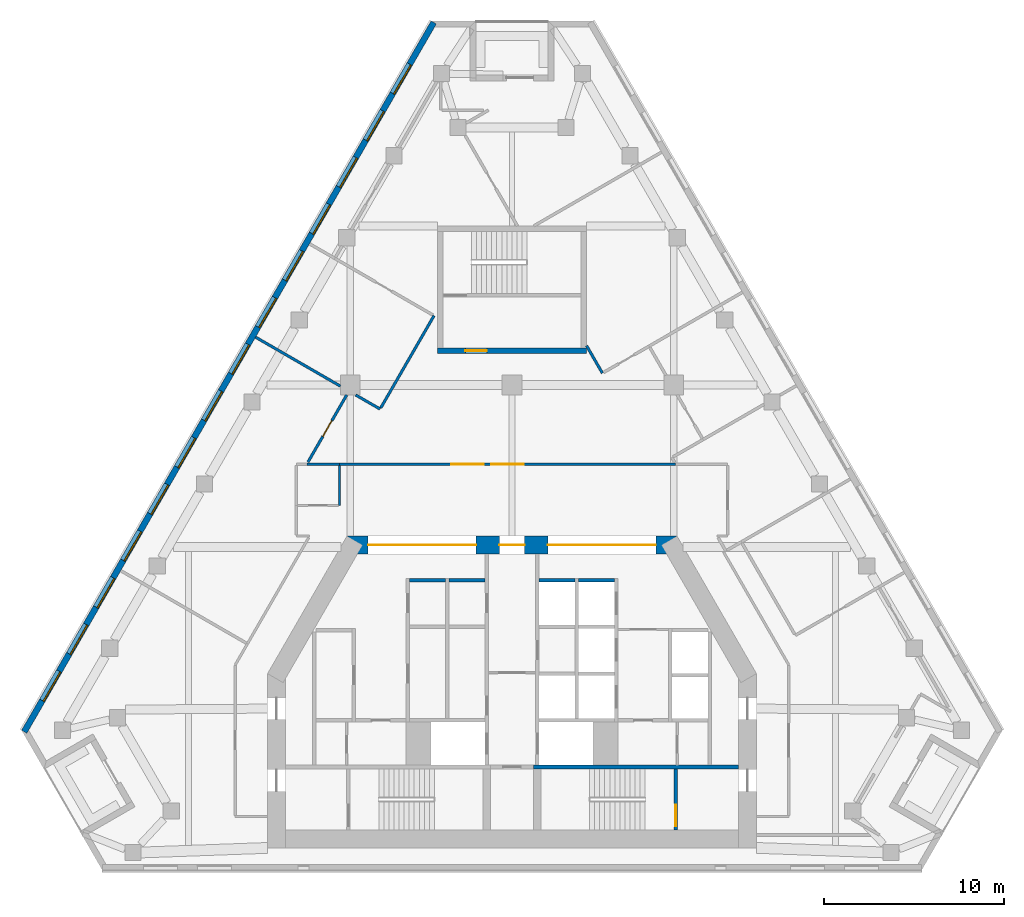
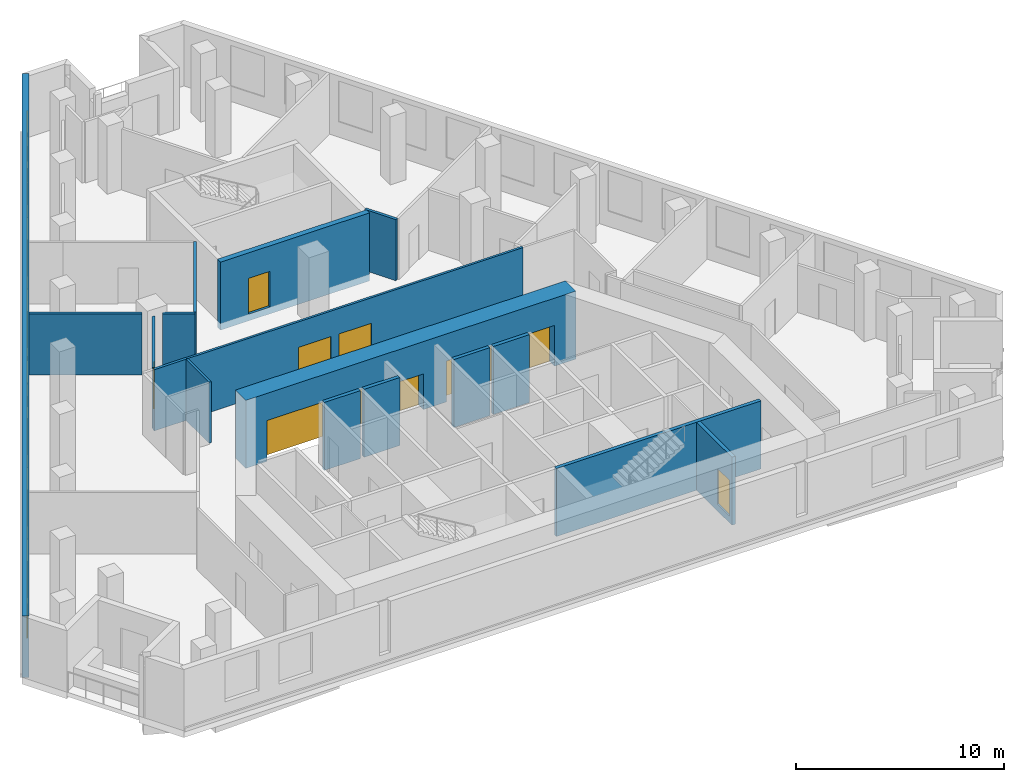
# One storey, part 5 of 9: 17 walls, 14 windows, 8 doors, 22 openings.
"""IFC4 building model written with IfcOpenShell, lengths in metres."""

from ifc_helpers import new_model, si_unit, direction, frame, frame_2d, origin, place, context, subcontext, project, spatial, rectangle, extrude, material, layer, layer_set, type_object, element, fill, save


model = new_model("IFC4")

# Units and contexts
model_context = context("Model", 3, precision=1e-05, world=origin(), true_north=direction((0.0, 1.0)))
body_context = subcontext(model_context, "Body", "Model", "MODEL_VIEW")
ifc_project = project(units=[si_unit("LENGTHUNIT", "METRE"), si_unit("AREAUNIT", "SQUARE_METRE"), si_unit("VOLUMEUNIT", "CUBIC_METRE"), si_unit("PLANEANGLEUNIT", "RADIAN"), si_unit("MASSUNIT", "GRAM", prefix="KILO")], contexts=[model_context])

# Site, building, storey
site_placement = place(None, origin())
site = spatial("IfcSite", under=ifc_project, at=site_placement, CompositionType="ELEMENT")
building_placement = place(site_placement, origin())
building = spatial("IfcBuilding", under=site, at=building_placement, Name="Fogline Exchange Tower", CompositionType="ELEMENT")
storey_placement = place(building_placement, frame((0.0, 0.0, 210.10009765625)))
storey = spatial("IfcBuildingStorey", under=building, at=storey_placement, Name="L47", CompositionType="ELEMENT", Elevation=210.10009765625)

# Wall
ifc_material_1 = material(Name="Concrete C40", Category="concrete")
ifc_layer_1 = layer(ifc_material_1, 0.199951171875)
ifc_layer_set_1 = layer_set([ifc_layer_1], Name="CW20R")
wall_type_1 = type_object("IfcWallType", Name="CW20R", PredefinedType="SOLIDWALL", material=ifc_layer_set_1)
wall_1_placement = place(storey_placement, frame((1.199951171875, 5.75, -0.400146484375), z_axis=(0.0, 0.0, 1.0), x_axis=(1.0, 0.0, 0.0)))
element("IfcWall", 1, at=wall_1_placement, inside=storey, type_object=wall_type_1, Name="Stair enclosure wall", PredefinedType="SOLIDWALL", context=body_context, shape_type="SweptSolid", body=[
    extrude(rectangle(XDim=11.400146484375, YDim=0.199951171875, at=frame_2d((5.7001953125, 0.0))), origin(), (0.0, 0.0, 1.0), 4.0),
])

# Wall, opening, door
wall_2_placement = place(storey_placement, frame((9.10009765625, 2.25, -0.400146484375), z_axis=(0.0, 0.0, 1.0), x_axis=(0.0, 1.0, 0.0)))
wall_2 = element("IfcWall", 2, at=wall_2_placement, inside=storey, type_object=wall_type_1, Name="Stair enclosure wall", PredefinedType="SOLIDWALL", context=body_context, shape_type="SweptSolid", body=[
    extrude(rectangle(XDim=3.39990234375, YDim=0.199951171875, at=frame_2d((1.699951171875, 0.0))), origin(), (0.0, 0.0, 1.0), 4.0),
])
opening_1_placement = place(wall_2_placement, frame((0.199951171875, 0.0, 0.39990234375)))
opening_1 = element("IfcOpeningElement", 3, at=opening_1_placement, cuts=wall_2, Name="Opening T15-C017", PredefinedType="OPENING", context=body_context, shape_type="SweptSolid", body=[
    extrude(rectangle(XDim=1.199951171875, YDim=2.10009765625, at=frame_2d((0.60009765625, 1.050048828125))), frame((0.0, 0.10986328125, 0.0), z_axis=(0.0, -1.0, 0.0), x_axis=(1.0, 0.0, 0.0)), (0.0, 0.0, 1.0), 0.219970703125),
])
ifc_material_2 = material(Name="Steel and timber fire door", Category="steel")
door_type_1 = type_object("IfcDoorType", Name="D-ST1", OperationType="SINGLE_SWING_LEFT", PredefinedType="DOOR", material=ifc_material_2)
door_1_placement = place(opening_1_placement, origin())
door_1 = element("IfcDoor", 4, at=door_1_placement, inside=storey, type_object=door_type_1, Name="Stair door ST2", OperationType="SINGLE_SWING_LEFT", OverallHeight=2.10009765625, OverallWidth=1.199951171875, PredefinedType="DOOR", context=body_context, shape_type="SweptSolid", body=[
    extrude(rectangle(XDim=1.199951171875, YDim=2.10009765625, at=frame_2d((0.60009765625, 1.050048828125))), frame((0.0, 0.02490234375, 0.0), z_axis=(0.0, -1.0, 0.0), x_axis=(1.0, 0.0, 0.0)), (0.0, 0.0, 1.0), 0.050048828125),
])
fill(opening_1, door_1)

# Walls
ifc_layer_2 = layer(ifc_material_1, 0.199951171875)
ifc_layer_set_2 = layer_set([ifc_layer_2], Name="CW20S")
wall_type_2 = type_object("IfcWallType", Name="CW20S", PredefinedType="SOLIDWALL", material=ifc_layer_set_2)
for number, where, z_axis, x_axis, name in (
    (5, (-5.699951171875, 16.14990234375, -0.400146484375), (0.0, 0.0, 1.0), (1.0, 0.0, 0.0), "Lift shaft wall"),
    (6, (-3.5, 16.14990234375, -0.400146484375), (0.0, 0.0, 1.0), (1.0, 0.0, 0.0), "Lift shaft wall"),
    (7, (3.699951171875, 16.14990234375, -0.400146484375), (0.0, 0.0, 1.0), (1.0, 0.0, 0.0), "Lift shaft wall"),
    (8, (1.5, 16.14990234375, -0.400146484375), (0.0, 0.0, 1.0), (1.0, 0.0, 0.0), "Lift shaft wall"),
):
    element("IfcWall", number, at=place(storey_placement, frame(where, z_axis=z_axis, x_axis=x_axis)), inside=storey, type_object=wall_type_2, Name=name, PredefinedType="SOLIDWALL", context=body_context, shape_type="SweptSolid", body=[
        extrude(rectangle(XDim=2.0, YDim=0.199951171875, at=frame_2d((1.0, 0.0))), origin(), (0.0, 0.0, 1.0), 4.0),
    ])

# Wall, opening, door
ifc_layer_3 = layer(ifc_material_1, 0.300048828125)
ifc_layer_set_3 = layer_set([ifc_layer_3], Name="CW30")
wall_type_3 = type_object("IfcWallType", Name="CW30", PredefinedType="SOLIDWALL", material=ifc_layer_set_3)
wall_3_placement = place(storey_placement, frame((-4.14990234375, 28.906982421875, -0.400146484375), z_axis=(0.0, 0.0, 1.0), x_axis=(1.0, 0.0, 0.0)))
wall_3 = element("IfcWall", 9, at=wall_3_placement, inside=storey, type_object=wall_type_3, Name="Stair enclosure wall ST3", PredefinedType="SOLIDWALL", context=body_context, shape_type="SweptSolid", body=[
    extrude(rectangle(XDim=8.2998046875, YDim=0.300048828125, at=frame_2d((4.14990234375, 0.0))), origin(), (0.0, 0.0, 1.0), 4.0),
])
opening_2_placement = place(wall_3_placement, frame((1.550048828125, 0.0, 0.39990234375)))
opening_2 = element("IfcOpeningElement", 10, at=opening_2_placement, cuts=wall_3, Name="Opening T15-C023", PredefinedType="OPENING", context=body_context, shape_type="SweptSolid", body=[
    extrude(rectangle(XDim=1.199951171875, YDim=2.10009765625, at=frame_2d((0.60009765625, 1.050048828125))), frame((0.0, 0.16015625, 0.0), z_axis=(0.0, -1.0, 0.0), x_axis=(1.0, 0.0, 0.0)), (0.0, 0.0, 1.0), 0.320068359375),
])
door_type_2 = type_object("IfcDoorType", Name="D-FR1", OperationType="SINGLE_SWING_RIGHT", PredefinedType="DOOR", material=ifc_material_2)
door_2_placement = place(opening_2_placement, origin())
door_2 = element("IfcDoor", 11, at=door_2_placement, inside=storey, type_object=door_type_2, Name="Front room door ST3", OperationType="SINGLE_SWING_LEFT", OverallHeight=2.10009765625, OverallWidth=1.199951171875, PredefinedType="DOOR", context=body_context, shape_type="SweptSolid", body=[
    extrude(rectangle(XDim=1.199951171875, YDim=2.10009765625, at=frame_2d((0.60009765625, 1.050048828125))), frame((0.0, 0.02490234375, 0.0), z_axis=(0.0, -1.0, 0.0), x_axis=(1.0, 0.0, 0.0)), (0.0, 0.0, 1.0), 0.050048828125),
])
fill(opening_2, door_2)

# Wall, openings, windows
ifc_material_3 = material(Name="Brick masonry", Category="masonry")
ifc_layer_4 = layer(ifc_material_3, 0.340087890625)
ifc_layer_set_4 = layer_set([ifc_layer_4], Name="FW1")
wall_type_4 = type_object("IfcWallType", Name="FW1", PredefinedType="SOLIDWALL", material=ifc_layer_set_4)
wall_4_placement = place(storey_placement, frame((-4.352783203125, 47.1767578125, 0.0), z_axis=(0.0, 0.0, 1.0), x_axis=(-0.500000533701, -0.866025095652, 0.0)))
wall_4 = element("IfcWall", 12, at=wall_4_placement, inside=storey, type_object=wall_type_4, Name="Brick wall L47 W", PredefinedType="SOLIDWALL", context=body_context, shape_type="SweptSolid", body=[
    extrude(rectangle(XDim=45.5732421875, YDim=0.340087890625, at=frame_2d((22.78662109375, 0.0))), origin(), (0.0, 0.0, 1.0), 3.599853515625),
])
opening_3_placement = place(wall_4_placement, frame((2.6796875, 0.0, 0.89990234375)))
opening_3 = element("IfcOpeningElement", 13, at=opening_3_placement, cuts=wall_4, Name="Opening W1", PredefinedType="OPENING", context=body_context, shape_type="SweptSolid", body=[
    extrude(rectangle(XDim=1.885009765625, YDim=2.39990234375, at=frame_2d((0.9423828125, 1.199951171875))), frame((0.0, 0.18017578125, 0.0), z_axis=(0.0, -1.0, 0.0), x_axis=(1.0, 0.0, 0.0)), (0.0, 0.0, 1.0), 0.360107421875),
])
opening_4_placement = place(wall_4_placement, frame((5.6796875, 0.0, 0.89990234375)))
opening_4 = element("IfcOpeningElement", 14, at=opening_4_placement, cuts=wall_4, Name="Opening W1", PredefinedType="OPENING", context=body_context, shape_type="SweptSolid", body=[
    extrude(rectangle(XDim=1.885009765625, YDim=2.39990234375, at=frame_2d((0.9423828125, 1.199951171875))), frame((0.0, 0.18017578125, 0.0), z_axis=(0.0, -1.0, 0.0), x_axis=(1.0, 0.0, 0.0)), (0.0, 0.0, 1.0), 0.360107421875),
])
opening_5_placement = place(wall_4_placement, frame((8.6796875, 0.0, 0.89990234375)))
opening_5 = element("IfcOpeningElement", 15, at=opening_5_placement, cuts=wall_4, Name="Opening W1", PredefinedType="OPENING", context=body_context, shape_type="SweptSolid", body=[
    extrude(rectangle(XDim=1.885009765625, YDim=2.39990234375, at=frame_2d((0.9423828125, 1.199951171875))), frame((0.0, 0.18017578125, 0.0), z_axis=(0.0, -1.0, 0.0), x_axis=(1.0, 0.0, 0.0)), (0.0, 0.0, 1.0), 0.360107421875),
])
opening_6_placement = place(wall_4_placement, frame((11.6796875, 0.0, 0.89990234375)))
opening_6 = element("IfcOpeningElement", 16, at=opening_6_placement, cuts=wall_4, Name="Opening W1", PredefinedType="OPENING", context=body_context, shape_type="SweptSolid", body=[
    extrude(rectangle(XDim=1.885009765625, YDim=2.39990234375, at=frame_2d((0.9423828125, 1.199951171875))), frame((0.0, 0.18017578125, 0.0), z_axis=(0.0, -1.0, 0.0), x_axis=(1.0, 0.0, 0.0)), (0.0, 0.0, 1.0), 0.360107421875),
])
opening_7_placement = place(wall_4_placement, frame((14.6796875, 0.0, 0.89990234375)))
opening_7 = element("IfcOpeningElement", 17, at=opening_7_placement, cuts=wall_4, Name="Opening W1", PredefinedType="OPENING", context=body_context, shape_type="SweptSolid", body=[
    extrude(rectangle(XDim=1.885009765625, YDim=2.39990234375, at=frame_2d((0.9423828125, 1.199951171875))), frame((0.0, 0.18017578125, 0.0), z_axis=(0.0, -1.0, 0.0), x_axis=(1.0, 0.0, 0.0)), (0.0, 0.0, 1.0), 0.360107421875),
])
opening_8_placement = place(wall_4_placement, frame((17.6796875, 0.0, 0.89990234375)))
opening_8 = element("IfcOpeningElement", 18, at=opening_8_placement, cuts=wall_4, Name="Opening W1", PredefinedType="OPENING", context=body_context, shape_type="SweptSolid", body=[
    extrude(rectangle(XDim=1.885009765625, YDim=2.39990234375, at=frame_2d((0.9423828125, 1.199951171875))), frame((0.0, 0.18017578125, 0.0), z_axis=(0.0, -1.0, 0.0), x_axis=(1.0, 0.0, 0.0)), (0.0, 0.0, 1.0), 0.360107421875),
])
opening_9_placement = place(wall_4_placement, frame((20.6796875, 0.0, 0.89990234375)))
opening_9 = element("IfcOpeningElement", 19, at=opening_9_placement, cuts=wall_4, Name="Opening W1", PredefinedType="OPENING", context=body_context, shape_type="SweptSolid", body=[
    extrude(rectangle(XDim=1.885009765625, YDim=2.39990234375, at=frame_2d((0.9423828125, 1.199951171875))), frame((0.0, 0.18017578125, 0.0), z_axis=(0.0, -1.0, 0.0), x_axis=(1.0, 0.0, 0.0)), (0.0, 0.0, 1.0), 0.360107421875),
])
opening_10_placement = place(wall_4_placement, frame((23.6796875, 0.0, 0.89990234375)))
opening_10 = element("IfcOpeningElement", 20, at=opening_10_placement, cuts=wall_4, Name="Opening W1", PredefinedType="OPENING", context=body_context, shape_type="SweptSolid", body=[
    extrude(rectangle(XDim=1.885009765625, YDim=2.39990234375, at=frame_2d((0.9423828125, 1.199951171875))), frame((0.0, 0.18017578125, 0.0), z_axis=(0.0, -1.0, 0.0), x_axis=(1.0, 0.0, 0.0)), (0.0, 0.0, 1.0), 0.360107421875),
])
opening_11_placement = place(wall_4_placement, frame((26.6796875, 0.0, 0.89990234375)))
opening_11 = element("IfcOpeningElement", 21, at=opening_11_placement, cuts=wall_4, Name="Opening W1", PredefinedType="OPENING", context=body_context, shape_type="SweptSolid", body=[
    extrude(rectangle(XDim=1.885009765625, YDim=2.39990234375, at=frame_2d((0.9423828125, 1.199951171875))), frame((0.0, 0.18017578125, 0.0), z_axis=(0.0, -1.0, 0.0), x_axis=(1.0, 0.0, 0.0)), (0.0, 0.0, 1.0), 0.360107421875),
])
opening_12_placement = place(wall_4_placement, frame((29.6796875, 0.0, 0.89990234375)))
opening_12 = element("IfcOpeningElement", 22, at=opening_12_placement, cuts=wall_4, Name="Opening W1", PredefinedType="OPENING", context=body_context, shape_type="SweptSolid", body=[
    extrude(rectangle(XDim=1.885009765625, YDim=2.39990234375, at=frame_2d((0.9423828125, 1.199951171875))), frame((0.0, 0.18017578125, 0.0), z_axis=(0.0, -1.0, 0.0), x_axis=(1.0, 0.0, 0.0)), (0.0, 0.0, 1.0), 0.360107421875),
])
opening_13_placement = place(wall_4_placement, frame((32.6796875, 0.0, 0.89990234375)))
opening_13 = element("IfcOpeningElement", 23, at=opening_13_placement, cuts=wall_4, Name="Opening W1", PredefinedType="OPENING", context=body_context, shape_type="SweptSolid", body=[
    extrude(rectangle(XDim=1.885009765625, YDim=2.39990234375, at=frame_2d((0.9423828125, 1.199951171875))), frame((0.0, 0.18017578125, 0.0), z_axis=(0.0, -1.0, 0.0), x_axis=(1.0, 0.0, 0.0)), (0.0, 0.0, 1.0), 0.360107421875),
])
opening_14_placement = place(wall_4_placement, frame((35.6796875, 0.0, 0.89990234375)))
opening_14 = element("IfcOpeningElement", 24, at=opening_14_placement, cuts=wall_4, Name="Opening W1", PredefinedType="OPENING", context=body_context, shape_type="SweptSolid", body=[
    extrude(rectangle(XDim=1.885009765625, YDim=2.39990234375, at=frame_2d((0.9423828125, 1.199951171875))), frame((0.0, 0.18017578125, 0.0), z_axis=(0.0, -1.0, 0.0), x_axis=(1.0, 0.0, 0.0)), (0.0, 0.0, 1.0), 0.360107421875),
])
opening_15_placement = place(wall_4_placement, frame((38.6796875, 0.0, 0.89990234375)))
opening_15 = element("IfcOpeningElement", 25, at=opening_15_placement, cuts=wall_4, Name="Opening W1", PredefinedType="OPENING", context=body_context, shape_type="SweptSolid", body=[
    extrude(rectangle(XDim=1.885009765625, YDim=2.39990234375, at=frame_2d((0.9423828125, 1.199951171875))), frame((0.0, 0.18017578125, 0.0), z_axis=(0.0, -1.0, 0.0), x_axis=(1.0, 0.0, 0.0)), (0.0, 0.0, 1.0), 0.360107421875),
])
opening_16_placement = place(wall_4_placement, frame((41.6796875, 0.0, 0.89990234375)))
opening_16 = element("IfcOpeningElement", 26, at=opening_16_placement, cuts=wall_4, Name="Opening W1", PredefinedType="OPENING", context=body_context, shape_type="SweptSolid", body=[
    extrude(rectangle(XDim=1.885009765625, YDim=2.39990234375, at=frame_2d((0.9423828125, 1.199951171875))), frame((0.0, 0.18017578125, 0.0), z_axis=(0.0, -1.0, 0.0), x_axis=(1.0, 0.0, 0.0)), (0.0, 0.0, 1.0), 0.360107421875),
])
ifc_material_4 = material(Name="Aluminium and glass", Category="aluminium")
window_type = type_object("IfcWindowType", Name="W1", PartitioningType="SINGLE_PANEL", PredefinedType="WINDOW", material=ifc_material_4)
window_1_placement = place(opening_3_placement, origin())
window_1 = element("IfcWindow", 27, at=window_1_placement, inside=storey, type_object=window_type, Name="W1 W1", OverallHeight=2.39990234375, OverallWidth=1.885009765625, PartitioningType="SINGLE_PANEL", PredefinedType="WINDOW", context=body_context, shape_type="SweptSolid", body=[
    extrude(rectangle(XDim=1.885009765625, YDim=2.39990234375, at=frame_2d((0.9423828125, 1.199951171875))), frame((0.0, 0.110107421875, 0.0), z_axis=(0.0, -1.0, 0.0), x_axis=(1.0, 0.0, 0.0)), (0.0, 0.0, 1.0), 0.06005859375),
])
fill(opening_3, window_1)
window_2_placement = place(opening_4_placement, origin())
window_2 = element("IfcWindow", 28, at=window_2_placement, inside=storey, type_object=window_type, Name="W1 W1", OverallHeight=2.39990234375, OverallWidth=1.885009765625, PartitioningType="SINGLE_PANEL", PredefinedType="WINDOW", context=body_context, shape_type="SweptSolid", body=[
    extrude(rectangle(XDim=1.885009765625, YDim=2.39990234375, at=frame_2d((0.9423828125, 1.199951171875))), frame((0.0, 0.110107421875, 0.0), z_axis=(0.0, -1.0, 0.0), x_axis=(1.0, 0.0, 0.0)), (0.0, 0.0, 1.0), 0.06005859375),
])
fill(opening_4, window_2)
window_3_placement = place(opening_5_placement, origin())
window_3 = element("IfcWindow", 29, at=window_3_placement, inside=storey, type_object=window_type, Name="W1 W1", OverallHeight=2.39990234375, OverallWidth=1.885009765625, PartitioningType="SINGLE_PANEL", PredefinedType="WINDOW", context=body_context, shape_type="SweptSolid", body=[
    extrude(rectangle(XDim=1.885009765625, YDim=2.39990234375, at=frame_2d((0.9423828125, 1.199951171875))), frame((0.0, 0.110107421875, 0.0), z_axis=(0.0, -1.0, 0.0), x_axis=(1.0, 0.0, 0.0)), (0.0, 0.0, 1.0), 0.06005859375),
])
fill(opening_5, window_3)
window_4_placement = place(opening_6_placement, origin())
window_4 = element("IfcWindow", 30, at=window_4_placement, inside=storey, type_object=window_type, Name="W1 W1", OverallHeight=2.39990234375, OverallWidth=1.885009765625, PartitioningType="SINGLE_PANEL", PredefinedType="WINDOW", context=body_context, shape_type="SweptSolid", body=[
    extrude(rectangle(XDim=1.885009765625, YDim=2.39990234375, at=frame_2d((0.9423828125, 1.199951171875))), frame((0.0, 0.110107421875, 0.0), z_axis=(0.0, -1.0, 0.0), x_axis=(1.0, 0.0, 0.0)), (0.0, 0.0, 1.0), 0.06005859375),
])
fill(opening_6, window_4)
window_5_placement = place(opening_7_placement, origin())
window_5 = element("IfcWindow", 31, at=window_5_placement, inside=storey, type_object=window_type, Name="W1 W1", OverallHeight=2.39990234375, OverallWidth=1.885009765625, PartitioningType="SINGLE_PANEL", PredefinedType="WINDOW", context=body_context, shape_type="SweptSolid", body=[
    extrude(rectangle(XDim=1.885009765625, YDim=2.39990234375, at=frame_2d((0.9423828125, 1.199951171875))), frame((0.0, 0.110107421875, 0.0), z_axis=(0.0, -1.0, 0.0), x_axis=(1.0, 0.0, 0.0)), (0.0, 0.0, 1.0), 0.06005859375),
])
fill(opening_7, window_5)
window_6_placement = place(opening_8_placement, origin())
window_6 = element("IfcWindow", 32, at=window_6_placement, inside=storey, type_object=window_type, Name="W1 W1", OverallHeight=2.39990234375, OverallWidth=1.885009765625, PartitioningType="SINGLE_PANEL", PredefinedType="WINDOW", context=body_context, shape_type="SweptSolid", body=[
    extrude(rectangle(XDim=1.885009765625, YDim=2.39990234375, at=frame_2d((0.9423828125, 1.199951171875))), frame((0.0, 0.110107421875, 0.0), z_axis=(0.0, -1.0, 0.0), x_axis=(1.0, 0.0, 0.0)), (0.0, 0.0, 1.0), 0.06005859375),
])
fill(opening_8, window_6)
window_7_placement = place(opening_9_placement, origin())
window_7 = element("IfcWindow", 33, at=window_7_placement, inside=storey, type_object=window_type, Name="W1 W1", OverallHeight=2.39990234375, OverallWidth=1.885009765625, PartitioningType="SINGLE_PANEL", PredefinedType="WINDOW", context=body_context, shape_type="SweptSolid", body=[
    extrude(rectangle(XDim=1.885009765625, YDim=2.39990234375, at=frame_2d((0.9423828125, 1.199951171875))), frame((0.0, 0.110107421875, 0.0), z_axis=(0.0, -1.0, 0.0), x_axis=(1.0, 0.0, 0.0)), (0.0, 0.0, 1.0), 0.06005859375),
])
fill(opening_9, window_7)
window_8_placement = place(opening_10_placement, origin())
window_8 = element("IfcWindow", 34, at=window_8_placement, inside=storey, type_object=window_type, Name="W1 W1", OverallHeight=2.39990234375, OverallWidth=1.885009765625, PartitioningType="SINGLE_PANEL", PredefinedType="WINDOW", context=body_context, shape_type="SweptSolid", body=[
    extrude(rectangle(XDim=1.885009765625, YDim=2.39990234375, at=frame_2d((0.9423828125, 1.199951171875))), frame((0.0, 0.110107421875, 0.0), z_axis=(0.0, -1.0, 0.0), x_axis=(1.0, 0.0, 0.0)), (0.0, 0.0, 1.0), 0.06005859375),
])
fill(opening_10, window_8)
window_9_placement = place(opening_11_placement, origin())
window_9 = element("IfcWindow", 35, at=window_9_placement, inside=storey, type_object=window_type, Name="W1 W1", OverallHeight=2.39990234375, OverallWidth=1.885009765625, PartitioningType="SINGLE_PANEL", PredefinedType="WINDOW", context=body_context, shape_type="SweptSolid", body=[
    extrude(rectangle(XDim=1.885009765625, YDim=2.39990234375, at=frame_2d((0.9423828125, 1.199951171875))), frame((0.0, 0.110107421875, 0.0), z_axis=(0.0, -1.0, 0.0), x_axis=(1.0, 0.0, 0.0)), (0.0, 0.0, 1.0), 0.06005859375),
])
fill(opening_11, window_9)
window_10_placement = place(opening_12_placement, origin())
window_10 = element("IfcWindow", 36, at=window_10_placement, inside=storey, type_object=window_type, Name="W1 W1", OverallHeight=2.39990234375, OverallWidth=1.885009765625, PartitioningType="SINGLE_PANEL", PredefinedType="WINDOW", context=body_context, shape_type="SweptSolid", body=[
    extrude(rectangle(XDim=1.885009765625, YDim=2.39990234375, at=frame_2d((0.9423828125, 1.199951171875))), frame((0.0, 0.110107421875, 0.0), z_axis=(0.0, -1.0, 0.0), x_axis=(1.0, 0.0, 0.0)), (0.0, 0.0, 1.0), 0.06005859375),
])
fill(opening_12, window_10)
window_11_placement = place(opening_13_placement, origin())
window_11 = element("IfcWindow", 37, at=window_11_placement, inside=storey, type_object=window_type, Name="W1 W1", OverallHeight=2.39990234375, OverallWidth=1.885009765625, PartitioningType="SINGLE_PANEL", PredefinedType="WINDOW", context=body_context, shape_type="SweptSolid", body=[
    extrude(rectangle(XDim=1.885009765625, YDim=2.39990234375, at=frame_2d((0.9423828125, 1.199951171875))), frame((0.0, 0.110107421875, 0.0), z_axis=(0.0, -1.0, 0.0), x_axis=(1.0, 0.0, 0.0)), (0.0, 0.0, 1.0), 0.06005859375),
])
fill(opening_13, window_11)
window_12_placement = place(opening_14_placement, origin())
window_12 = element("IfcWindow", 38, at=window_12_placement, inside=storey, type_object=window_type, Name="W1 W1", OverallHeight=2.39990234375, OverallWidth=1.885009765625, PartitioningType="SINGLE_PANEL", PredefinedType="WINDOW", context=body_context, shape_type="SweptSolid", body=[
    extrude(rectangle(XDim=1.885009765625, YDim=2.39990234375, at=frame_2d((0.9423828125, 1.199951171875))), frame((0.0, 0.110107421875, 0.0), z_axis=(0.0, -1.0, 0.0), x_axis=(1.0, 0.0, 0.0)), (0.0, 0.0, 1.0), 0.06005859375),
])
fill(opening_14, window_12)
window_13_placement = place(opening_15_placement, origin())
window_13 = element("IfcWindow", 39, at=window_13_placement, inside=storey, type_object=window_type, Name="W1 W1", OverallHeight=2.39990234375, OverallWidth=1.885009765625, PartitioningType="SINGLE_PANEL", PredefinedType="WINDOW", context=body_context, shape_type="SweptSolid", body=[
    extrude(rectangle(XDim=1.885009765625, YDim=2.39990234375, at=frame_2d((0.9423828125, 1.199951171875))), frame((0.0, 0.110107421875, 0.0), z_axis=(0.0, -1.0, 0.0), x_axis=(1.0, 0.0, 0.0)), (0.0, 0.0, 1.0), 0.06005859375),
])
fill(opening_15, window_13)
window_14_placement = place(opening_16_placement, origin())
window_14 = element("IfcWindow", 40, at=window_14_placement, inside=storey, type_object=window_type, Name="W1 W1", OverallHeight=2.39990234375, OverallWidth=1.885009765625, PartitioningType="SINGLE_PANEL", PredefinedType="WINDOW", context=body_context, shape_type="SweptSolid", body=[
    extrude(rectangle(XDim=1.885009765625, YDim=2.39990234375, at=frame_2d((0.9423828125, 1.199951171875))), frame((0.0, 0.110107421875, 0.0), z_axis=(0.0, -1.0, 0.0), x_axis=(1.0, 0.0, 0.0)), (0.0, 0.0, 1.0), 0.06005859375),
])
fill(opening_16, window_14)

# Wall, openings, doors
ifc_material_5 = material(Name="Plasterboard corridor partition with mineral wool, 2 layers each side")
ifc_layer_5 = layer(ifc_material_5, 0.125)
ifc_layer_set_5 = layer_set([ifc_layer_5], Name="PW2")
wall_type_5 = type_object("IfcWallType", Name="PW2", PredefinedType="PARTITIONING", material=ifc_layer_set_5)
wall_5_placement = place(storey_placement, frame((-9.60009765625, 22.60009765625, 0.0), z_axis=(0.0, 0.0, 1.0), x_axis=(1.0, 0.0, 0.0)))
wall_5 = element("IfcWall", 41, at=wall_5_placement, inside=storey, type_object=wall_type_5, Name="wall-L47-W007", PredefinedType="PARTITIONING", context=body_context, shape_type="SweptSolid", body=[
    extrude(rectangle(XDim=18.708251953125, YDim=0.125, at=frame_2d((9.35400390625, 0.0))), origin(), (0.0, 0.0, 1.0), 3.599853515625),
])
opening_17_placement = place(wall_5_placement, frame((6.216552734375, 0.0, 0.0)))
opening_17 = element("IfcOpeningElement", 42, at=opening_17_placement, cuts=wall_5, Name="Opening T15-D003", PredefinedType="OPENING", context=body_context, shape_type="SweptSolid", body=[
    extrude(rectangle(XDim=1.800048828125, YDim=2.10009765625, at=frame_2d((0.89990234375, 1.050048828125))), frame((0.0, 0.072509765625, 0.0), z_axis=(0.0, -1.0, 0.0), x_axis=(1.0, 0.0, 0.0)), (0.0, 0.0, 1.0), 0.14501953125),
])
opening_18_placement = place(wall_5_placement, frame((8.4541015625, 0.0, 0.0)))
opening_18 = element("IfcOpeningElement", 43, at=opening_18_placement, cuts=wall_5, Name="Opening T15-D004", PredefinedType="OPENING", context=body_context, shape_type="SweptSolid", body=[
    extrude(rectangle(XDim=1.800048828125, YDim=2.10009765625, at=frame_2d((0.89990234375, 1.050048828125))), frame((0.0, 0.072509765625, 0.0), z_axis=(0.0, -1.0, 0.0), x_axis=(1.0, 0.0, 0.0)), (0.0, 0.0, 1.0), 0.14501953125),
])
ifc_material_6 = material(Name="Fire-rated timber door leaves with steel frame", Category="steel")
door_type_3 = type_object("IfcDoorType", Name="D4", OperationType="DOUBLE_DOOR_SINGLE_SWING", PredefinedType="DOOR", material=ifc_material_6)
door_3_placement = place(opening_17_placement, frame((1.800048828125, 0.0, 0.0), z_axis=(0.0, 0.0, 1.0), x_axis=(-1.0, 0.0, 0.0)))
door_3 = element("IfcDoor", 44, at=door_3_placement, inside=storey, type_object=door_type_3, Name="door-L47-D003", OperationType="DOUBLE_DOOR_SINGLE_SWING", OverallHeight=2.10009765625, OverallWidth=1.800048828125, PredefinedType="DOOR", context=body_context, shape_type="SweptSolid", body=[
    extrude(rectangle(XDim=1.800048828125, YDim=2.10009765625, at=frame_2d((0.89990234375, 1.050048828125))), frame((0.0, 0.02490234375, 0.0), z_axis=(0.0, -1.0, 0.0), x_axis=(1.0, 0.0, 0.0)), (0.0, 0.0, 1.0), 0.050048828125),
])
fill(opening_17, door_3)
door_4_placement = place(opening_18_placement, frame((1.800048828125, 0.0, 0.0), z_axis=(0.0, 0.0, 1.0), x_axis=(-1.0, 0.0, 0.0)))
door_4 = element("IfcDoor", 45, at=door_4_placement, inside=storey, type_object=door_type_3, Name="door-L47-D004", OperationType="DOUBLE_DOOR_SINGLE_SWING", OverallHeight=2.10009765625, OverallWidth=1.800048828125, PredefinedType="DOOR", context=body_context, shape_type="SweptSolid", body=[
    extrude(rectangle(XDim=1.800048828125, YDim=2.10009765625, at=frame_2d((0.89990234375, 1.050048828125))), frame((0.0, 0.02490234375, 0.0), z_axis=(0.0, -1.0, 0.0), x_axis=(1.0, 0.0, 0.0)), (0.0, 0.0, 1.0), 0.050048828125),
])
fill(opening_18, door_4)

# Walls
wall_6_placement = place(storey_placement, frame((-9.60009765625, 20.300048828125, 0.0), z_axis=(0.0, 0.0, 1.0), x_axis=(0.0, 1.0, 0.0)))
element("IfcWall", 46, at=wall_6_placement, inside=storey, type_object=wall_type_5, Name="wall-L47-W009", PredefinedType="PARTITIONING", context=body_context, shape_type="SweptSolid", body=[
    extrude(rectangle(XDim=2.224365234375, YDim=0.125, at=frame_2d((1.1123046875, 0.0))), origin(), (0.0, 0.0, 1.0), 3.599853515625),
])
ifc_material_7 = material(Name="Plasterboard demising partition with mineral wool and acoustic board")
ifc_layer_6 = layer(ifc_material_7, 0.14990234375)
ifc_layer_set_6 = layer_set([ifc_layer_6], Name="PW3")
wall_type_6 = type_object("IfcWallType", Name="PW3", PredefinedType="PARTITIONING", material=ifc_layer_set_6)
wall_7_placement = place(storey_placement, frame((5.030029296875, 27.663818359375, 0.0), z_axis=(0.0, 0.0, 1.0), x_axis=(-0.50006265593, 0.865989226344, 0.0)))
element("IfcWall", 47, at=wall_7_placement, inside=storey, type_object=wall_type_6, Name="wall-L47-W028", PredefinedType="PARTITIONING", context=body_context, shape_type="SweptSolid", body=[
    extrude(rectangle(XDim=1.760009765625, YDim=0.14990234375, at=frame_2d((0.8798828125, 0.0))), origin(), (0.0, 0.0, 1.0), 3.599853515625),
])
wall_8_placement = place(storey_placement, frame((-8.69775390625, 26.449951171875, 0.0), z_axis=(0.0, 0.0, 1.0), x_axis=(0.866071624186, -0.499919935369, 0.0)))
element("IfcWall", 48, at=wall_8_placement, inside=storey, type_object=wall_type_6, Name="wall-L47-W036", PredefinedType="PARTITIONING", context=body_context, shape_type="SweptSolid", body=[
    extrude(rectangle(XDim=1.569580078125, YDim=0.14990234375, at=frame_2d((0.78466796875, 0.0))), origin(), (0.0, 0.0, 1.0), 3.599853515625),
])
wall_9_placement = place(storey_placement, frame((-7.301025390625, 25.730224609375, 0.0), z_axis=(0.0, 0.0, 1.0), x_axis=(0.500025631269, 0.866010605059, 0.0)))
element("IfcWall", 49, at=wall_9_placement, inside=storey, type_object=wall_type_6, Name="wall-L47-W037", PredefinedType="PARTITIONING", context=body_context, shape_type="SweptSolid", body=[
    extrude(rectangle(XDim=5.925048828125, YDim=0.14990234375, at=frame_2d((2.96240234375, 0.0))), origin(), (0.0, 0.0, 1.0), 3.599853515625),
])
wall_10_placement = place(storey_placement, frame((-9.60009765625, 22.60009765625, 0.0), z_axis=(0.0, 0.0, 1.0), x_axis=(-1.0, 0.0, 0.0)))
element("IfcWall", 50, at=wall_10_placement, inside=storey, type_object=wall_type_6, Name="wall-L47-W039", PredefinedType="PARTITIONING", context=body_context, shape_type="SweptSolid", body=[
    extrude(rectangle(XDim=1.8173828125, YDim=0.14990234375, at=frame_2d((0.90869140625, 0.0))), origin(), (0.0, 0.0, 1.0), 3.599853515625),
])

# Wall, opening, door
wall_11_placement = place(storey_placement, frame((-11.352294921875, 22.712890625, 0.0), z_axis=(0.0, 0.0, 1.0), x_axis=(0.50002119175, 0.866013168376, 0.0)))
wall_11 = element("IfcWall", 51, at=wall_11_placement, inside=storey, type_object=wall_type_6, Name="wall-L47-W040", PredefinedType="PARTITIONING", context=body_context, shape_type="SweptSolid", body=[
    extrude(rectangle(XDim=4.315185546875, YDim=0.14990234375, at=frame_2d((2.15771484375, 0.0))), origin(), (0.0, 0.0, 1.0), 3.599853515625),
])
opening_19_placement = place(wall_11_placement, frame((1.65771484375, 0.0, 0.0)))
opening_19 = element("IfcOpeningElement", 52, at=opening_19_placement, cuts=wall_11, Name="Opening T15-D012", PredefinedType="OPENING", context=body_context, shape_type="SweptSolid", body=[
    extrude(rectangle(XDim=1.0, YDim=2.10009765625, at=frame_2d((0.5, 1.050048828125))), frame((0.0, 0.0849609375, 0.0), z_axis=(0.0, -1.0, 0.0), x_axis=(1.0, 0.0, 0.0)), (0.0, 0.0, 1.0), 0.169921875),
])
ifc_material_8 = material(Name="Fire-rated timber door leaf with steel frame", Category="steel")
door_type_4 = type_object("IfcDoorType", Name="D3", OperationType="SINGLE_SWING_LEFT", PredefinedType="DOOR", material=ifc_material_8)
door_5_placement = place(opening_19_placement, origin())
door_5 = element("IfcDoor", 53, at=door_5_placement, inside=storey, type_object=door_type_4, Name="door-L47-D012", OperationType="SINGLE_SWING_LEFT", OverallHeight=2.10009765625, OverallWidth=1.0, PredefinedType="DOOR", context=body_context, shape_type="SweptSolid", body=[
    extrude(rectangle(XDim=1.0, YDim=2.10009765625, at=frame_2d((0.5, 1.050048828125))), frame((0.0, 0.02490234375, 0.0), z_axis=(0.0, -1.0, 0.0), x_axis=(1.0, 0.0, 0.0)), (0.0, 0.0, 1.0), 0.050048828125),
])
fill(opening_19, door_5)

# Wall
wall_12_placement = place(storey_placement, frame((-9.550048828125, 26.94189453125, 0.0), z_axis=(0.0, 0.0, 1.0), x_axis=(-0.866002689781, 0.500039339744, 0.0)))
element("IfcWall", 54, at=wall_12_placement, inside=storey, type_object=wall_type_6, Name="wall-L47-W042", PredefinedType="PARTITIONING", context=body_context, shape_type="SweptSolid", body=[
    extrude(rectangle(XDim=5.4462890625, YDim=0.14990234375, at=frame_2d((2.72314453125, 0.0))), origin(), (0.0, 0.0, 1.0), 3.599853515625),
])

# Wall, openings, doors
ifc_material_9 = material(Name="Concrete C60", Category="concrete")
ifc_layer_7 = layer(ifc_material_9, 1.0)
ifc_layer_set_7 = layer_set([ifc_layer_7], Name="SW03")
wall_type_7 = type_object("IfcWallType", Name="SW03", PredefinedType="SHEAR", material=ifc_layer_set_7)
wall_13_placement = place(storey_placement, frame((9.1806640625, 18.10009765625, 0.0), z_axis=(0.0, 0.0, 1.0), x_axis=(-1.0, 0.0, 0.0)))
wall_13 = element("IfcWall", 55, at=wall_13_placement, inside=storey, type_object=wall_type_7, Name="L47-W904", PredefinedType="SHEAR", context=body_context, shape_type="SweptSolid", body=[
    extrude(rectangle(XDim=18.361328125, YDim=1.0, at=frame_2d((9.1806640625, 0.0))), origin(), (0.0, 0.0, 1.0), 4.0),
])
opening_20_placement = place(wall_13_placement, frame((8.480712890625, 0.0, 0.0)))
opening_20 = element("IfcOpeningElement", 56, at=opening_20_placement, cuts=wall_13, Name="Opening T15-C020", PredefinedType="OPENING", context=body_context, shape_type="SweptSolid", body=[
    extrude(rectangle(XDim=1.39990234375, YDim=2.10009765625, at=frame_2d((0.699951171875, 1.050048828125))), frame((0.0, 0.510009765625, 0.0), z_axis=(0.0, -1.0, 0.0), x_axis=(1.0, 0.0, 0.0)), (0.0, 0.0, 1.0), 1.02001953125),
])
opening_21_placement = place(wall_13_placement, frame((11.1806640625, 0.0, 0.0)))
opening_21 = element("IfcOpeningElement", 57, at=opening_21_placement, cuts=wall_13, Name="Opening T15-C021", PredefinedType="OPENING", context=body_context, shape_type="SweptSolid", body=[
    extrude(rectangle(XDim=6.0, YDim=2.39990234375, at=frame_2d((3.0, 1.199951171875))), frame((0.0, 0.510009765625, 0.0), z_axis=(0.0, -1.0, 0.0), x_axis=(1.0, 0.0, 0.0)), (0.0, 0.0, 1.0), 1.02001953125),
])
opening_22_placement = place(wall_13_placement, frame((1.1806640625, 0.0, 0.0)))
opening_22 = element("IfcOpeningElement", 58, at=opening_22_placement, cuts=wall_13, Name="Opening T15-C022", PredefinedType="OPENING", context=body_context, shape_type="SweptSolid", body=[
    extrude(rectangle(XDim=6.0, YDim=2.39990234375, at=frame_2d((3.0, 1.199951171875))), frame((0.0, 0.510009765625, 0.0), z_axis=(0.0, -1.0, 0.0), x_axis=(1.0, 0.0, 0.0)), (0.0, 0.0, 1.0), 1.02001953125),
])
door_type_5 = type_object("IfcDoorType", Name="D-LB1", OperationType="DOUBLE_DOOR_SINGLE_SWING", PredefinedType="DOOR", material=ifc_material_2)
door_6_placement = place(opening_20_placement, origin())
door_6 = element("IfcDoor", 59, at=door_6_placement, inside=storey, type_object=door_type_5, Name="Protected lobby door", OperationType="DOUBLE_DOOR_SINGLE_SWING", OverallHeight=2.10009765625, OverallWidth=1.39990234375, PredefinedType="DOOR", context=body_context, shape_type="SweptSolid", body=[
    extrude(rectangle(XDim=1.39990234375, YDim=2.10009765625, at=frame_2d((0.699951171875, 1.050048828125))), frame((0.0, 0.02490234375, 0.0), z_axis=(0.0, -1.0, 0.0), x_axis=(1.0, 0.0, 0.0)), (0.0, 0.0, 1.0), 0.050048828125),
])
fill(opening_20, door_6)
door_type_6 = type_object("IfcDoorType", Name="D-LE1", OperationType="DOUBLE_DOOR_SLIDING", PredefinedType="DOOR", material=ifc_material_2)
door_7_placement = place(opening_21_placement, origin())
door_7 = element("IfcDoor", 60, at=door_7_placement, inside=storey, type_object=door_type_6, Name="Lift lobby entrance west", OperationType="DOUBLE_DOOR_SLIDING", OverallHeight=2.39990234375, OverallWidth=6.0, PredefinedType="DOOR", context=body_context, shape_type="SweptSolid", body=[
    extrude(rectangle(XDim=6.0, YDim=2.39990234375, at=frame_2d((3.0, 1.199951171875))), frame((0.0, 0.02490234375, 0.0), z_axis=(0.0, -1.0, 0.0), x_axis=(1.0, 0.0, 0.0)), (0.0, 0.0, 1.0), 0.050048828125),
])
fill(opening_21, door_7)
door_8_placement = place(opening_22_placement, origin())
door_8 = element("IfcDoor", 61, at=door_8_placement, inside=storey, type_object=door_type_6, Name="Lift lobby entrance east", OperationType="DOUBLE_DOOR_SLIDING", OverallHeight=2.39990234375, OverallWidth=6.0, PredefinedType="DOOR", context=body_context, shape_type="SweptSolid", body=[
    extrude(rectangle(XDim=6.0, YDim=2.39990234375, at=frame_2d((3.0, 1.199951171875))), frame((0.0, 0.02490234375, 0.0), z_axis=(0.0, -1.0, 0.0), x_axis=(1.0, 0.0, 0.0)), (0.0, 0.0, 1.0), 0.050048828125),
])
fill(opening_22, door_8)

save(model, "model.ifc")
